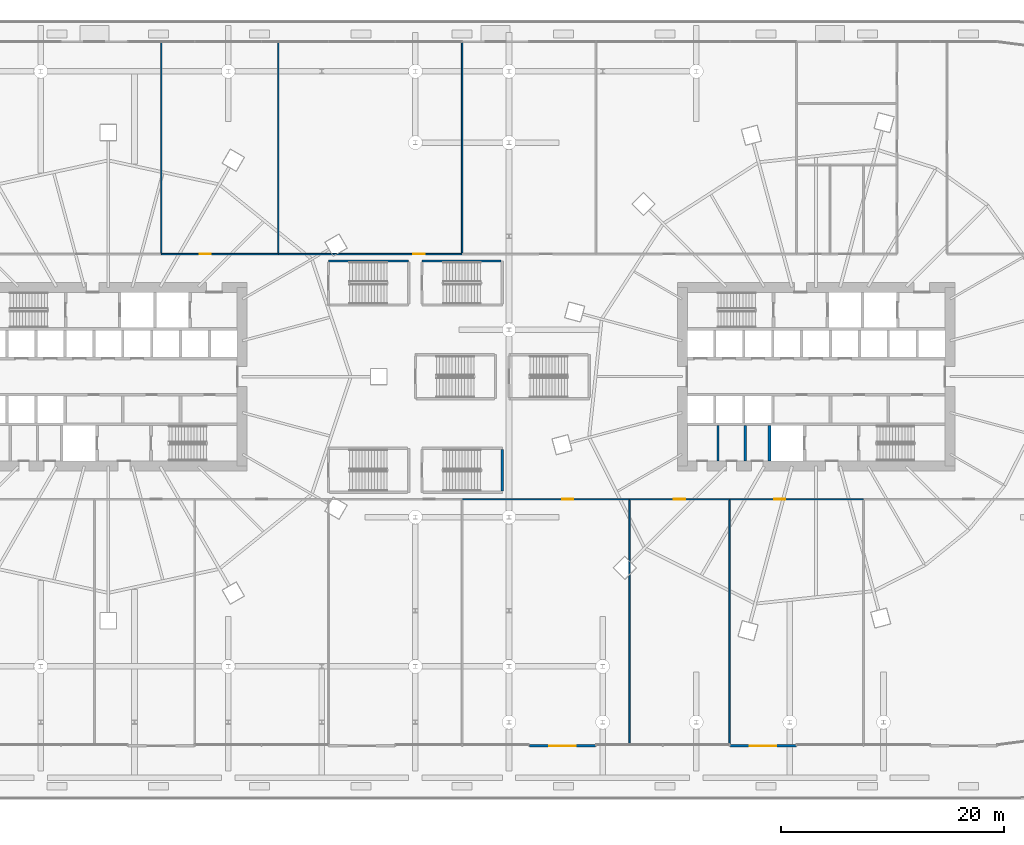
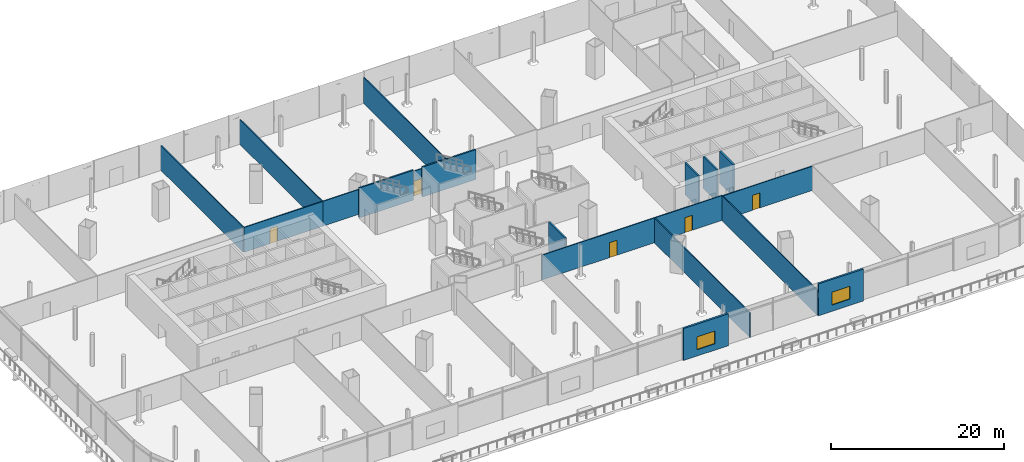
# One storey, part 40 of 56: 18 walls, 5 doors, 2 windows, 7 openings.
"""IFC4 building model written with IfcOpenShell, lengths in metres."""

from ifc_helpers import new_model, si_unit, direction, frame, frame_2d, origin, place, context, subcontext, project, spatial, rectangle, extrude, material, layer, layer_set, type_object, element, fill, save


model = new_model("IFC4")

# Units and contexts
model_context = context("Model", 3, precision=1e-05, world=origin(), true_north=direction((0.0, 1.0)))
body_context = subcontext(model_context, "Body", "Model", "MODEL_VIEW")
ifc_project = project(units=[si_unit("LENGTHUNIT", "METRE"), si_unit("AREAUNIT", "SQUARE_METRE"), si_unit("VOLUMEUNIT", "CUBIC_METRE"), si_unit("PLANEANGLEUNIT", "RADIAN"), si_unit("MASSUNIT", "GRAM", prefix="KILO")], contexts=[model_context])

# Site, building, storey
site_placement = place(None, origin())
site = spatial("IfcSite", under=ifc_project, at=site_placement, CompositionType="ELEMENT")
building_placement = place(site_placement, origin())
building = spatial("IfcBuilding", under=site, at=building_placement, Name="Rimbun Link Towers", CompositionType="ELEMENT")
storey_placement = place(building_placement, frame((0.0, 0.0, 16.5)))
storey = spatial("IfcBuildingStorey", under=building, at=storey_placement, Name="L03", CompositionType="ELEMENT", Elevation=16.5)

# Walls
ifc_material_1 = material(Name="Masonry blockwork", Category="masonry")
ifc_layer_1 = layer(ifc_material_1, 0.199951171875)
ifc_layer_set_1 = layer_set([ifc_layer_1], Name="Core partition 200")
wall_type_1 = type_object("IfcWallType", Name="Core partition 200", PredefinedType="PARTITIONING", material=ifc_layer_set_1)
for number, where, z_axis, x_axis, name in (
    (1, (22.949951171875, -4.39990234375, 0.0), (0.0, 0.0, 1.0), (0.0, -1.0, 0.0), "L03 T2 core wall C1"),
    (2, (25.39990234375, -4.39990234375, 0.0), (0.0, 0.0, 1.0), (0.0, -1.0, 0.0), "L03 T2 core wall C2"),
):
    element("IfcWall", number, at=place(storey_placement, frame(where, z_axis=z_axis, x_axis=x_axis)), inside=storey, type_object=wall_type_1, Name=name, PredefinedType="PARTITIONING", context=body_context, shape_type="SweptSolid", body=[
        extrude(rectangle(XDim=3.150146484375, YDim=0.199951171875, at=frame_2d((1.5751953125, 0.0))), origin(), (0.0, 0.0, 1.0), 4.5),
    ])

# Wall, opening, window
ifc_material_2 = material(Name="Concrete C32/40, terracotta rainscreen cladding", Category="masonry")
ifc_layer_2 = layer(ifc_material_2, 0.25)
ifc_layer_set_2 = layer_set([ifc_layer_2], Name="PD solid bay wall 250")
wall_type_2 = type_object("IfcWallType", Name="PD solid bay wall 250", PredefinedType="STANDARD", material=ifc_layer_set_2)
wall_1_placement = place(storey_placement, frame((11.97998046875, -33.125, 0.0), z_axis=(0.0, 0.0, 1.0), x_axis=(-1.0, 0.0, 0.0)))
wall_1 = element("IfcWall", 3, at=wall_1_placement, inside=storey, type_object=wall_type_2, Name="Solid bay wall", PredefinedType="STANDARD", context=body_context, shape_type="SweptSolid", body=[
    extrude(rectangle(XDim=5.9599609375, YDim=0.25, at=frame_2d((2.97998046875, 0.0))), origin(), (0.0, 0.0, 1.0), 4.5),
])
opening_1_placement = place(wall_1_placement, frame((1.780029296875, 0.0, 0.89990234375)))
opening_1 = element("IfcOpeningElement", 4, at=opening_1_placement, cuts=wall_1, Name="Opening WN13", PredefinedType="OPENING", context=body_context, shape_type="SweptSolid", body=[
    extrude(rectangle(XDim=2.39990234375, YDim=1.800048828125, at=frame_2d((1.199951171875, 0.89990234375))), frame((0.0, 0.135009765625, 0.0), z_axis=(0.0, -1.0, 0.0), x_axis=(1.0, 0.0, 0.0)), (0.0, 0.0, 1.0), 0.27001953125),
])
ifc_material_3 = material(Name="Aluminium framed window, low-iron glass", Category="aluminium")
window_type = type_object("IfcWindowType", Name="W1 podium window 2400X1800", PartitioningType="SINGLE_PANEL", PredefinedType="WINDOW", material=ifc_material_3)
window_1_placement = place(opening_1_placement, origin())
window_1 = element("IfcWindow", 5, at=window_1_placement, inside=storey, type_object=window_type, Name="Podium window", OverallHeight=1.800048828125, OverallWidth=2.39990234375, PartitioningType="SINGLE_PANEL", PredefinedType="WINDOW", context=body_context, shape_type="SweptSolid", body=[
    extrude(rectangle(XDim=2.39990234375, YDim=1.800048828125, at=frame_2d((1.199951171875, 0.89990234375))), frame((0.0, 0.030029296875, 0.0), z_axis=(0.0, -1.0, 0.0), x_axis=(1.0, 0.0, 0.0)), (0.0, 0.0, 1.0), 0.06005859375),
])
fill(opening_1, window_1)

wall_2_placement = place(storey_placement, frame((29.97998046875, -33.125, 0.0), z_axis=(0.0, 0.0, 1.0), x_axis=(-1.0, 0.0, 0.0)))
wall_2 = element("IfcWall", 6, at=wall_2_placement, inside=storey, type_object=wall_type_2, Name="Solid bay wall", PredefinedType="STANDARD", context=body_context, shape_type="SweptSolid", body=[
    extrude(rectangle(XDim=5.9599609375, YDim=0.25, at=frame_2d((2.97998046875, 0.0))), origin(), (0.0, 0.0, 1.0), 4.5),
])
opening_2_placement = place(wall_2_placement, frame((1.780029296875, 0.0, 0.89990234375)))
opening_2 = element("IfcOpeningElement", 7, at=opening_2_placement, cuts=wall_2, Name="Opening WN14", PredefinedType="OPENING", context=body_context, shape_type="SweptSolid", body=[
    extrude(rectangle(XDim=2.39990234375, YDim=1.800048828125, at=frame_2d((1.199951171875, 0.89990234375))), frame((0.0, 0.135009765625, 0.0), z_axis=(0.0, -1.0, 0.0), x_axis=(1.0, 0.0, 0.0)), (0.0, 0.0, 1.0), 0.27001953125),
])
window_2_placement = place(opening_2_placement, origin())
window_2 = element("IfcWindow", 8, at=window_2_placement, inside=storey, type_object=window_type, Name="Podium window", OverallHeight=1.800048828125, OverallWidth=2.39990234375, PartitioningType="SINGLE_PANEL", PredefinedType="WINDOW", context=body_context, shape_type="SweptSolid", body=[
    extrude(rectangle(XDim=2.39990234375, YDim=1.800048828125, at=frame_2d((1.199951171875, 0.89990234375))), frame((0.0, 0.030029296875, 0.0), z_axis=(0.0, -1.0, 0.0), x_axis=(1.0, 0.0, 0.0)), (0.0, 0.0, 1.0), 0.06005859375),
])
fill(opening_2, window_2)

# Wall, opening, door
ifc_material_4 = material(Name="Gypsum board on steel studs", Category="steel")
ifc_layer_3 = layer(ifc_material_4, 0.125)
ifc_layer_set_3 = layer_set([ifc_layer_3], Name="Partition 125 board on studs")
wall_type_3 = type_object("IfcWallType", Name="Partition 125 board on studs", PredefinedType="PARTITIONING", material=ifc_layer_set_3)
wall_3_placement = place(storey_placement, frame((0.0, -11.0, 0.0), z_axis=(0.0, 0.0, 1.0), x_axis=(1.0, 0.0, 0.0)))
wall_3 = element("IfcWall", 9, at=wall_3_placement, inside=storey, type_object=wall_type_3, Name="PD/PW/L03/030", PredefinedType="PARTITIONING", context=body_context, shape_type="SweptSolid", body=[
    extrude(rectangle(XDim=15.0, YDim=0.125, at=frame_2d((7.5, 0.0))), origin(), (0.0, 0.0, 1.0), 3.49609375),
])
opening_3_placement = place(wall_3_placement, frame((8.965087890625, 0.0, 0.0)))
opening_3 = element("IfcOpeningElement", 10, at=opening_3_placement, cuts=wall_3, Name="Opening PD D03.06", PredefinedType="OPENING", context=body_context, shape_type="SweptSolid", body=[
    extrude(rectangle(XDim=1.0, YDim=2.10009765625, at=frame_2d((0.5, 1.050048828125))), frame((0.0, 0.072509765625, 0.0), z_axis=(0.0, -1.0, 0.0), x_axis=(1.0, 0.0, 0.0)), (0.0, 0.0, 1.0), 0.14501953125),
])
ifc_material_5 = material(Name="Timber door set", Category="wood")
door_type = type_object("IfcDoorType", Name="Door single leaf 1000 x 2100", OperationType="NOTDEFINED", PredefinedType="DOOR", material=ifc_material_5)
door_1_placement = place(opening_3_placement, origin())
door_1 = element("IfcDoor", 11, at=door_1_placement, inside=storey, type_object=door_type, Name="PD/DR/L03/006", OperationType="SINGLE_SWING_LEFT", OverallHeight=2.10009765625, OverallWidth=1.0, PredefinedType="DOOR", context=body_context, shape_type="SweptSolid", body=[
    extrude(rectangle(XDim=1.0, YDim=2.10009765625, at=frame_2d((0.5, 1.050048828125))), frame((0.0, 0.02490234375, 0.0), z_axis=(0.0, -1.0, 0.0), x_axis=(1.0, 0.0, 0.0)), (0.0, 0.0, 1.0), 0.050048828125),
])
fill(opening_3, door_1)

wall_4_placement = place(storey_placement, frame((15.0, -11.0, 0.0), z_axis=(0.0, 0.0, 1.0), x_axis=(1.0, 0.0, 0.0)))
wall_4 = element("IfcWall", 12, at=wall_4_placement, inside=storey, type_object=wall_type_3, Name="PD/PW/L03/031", PredefinedType="PARTITIONING", context=body_context, shape_type="SweptSolid", body=[
    extrude(rectangle(XDim=9.0, YDim=0.125, at=frame_2d((4.5, 0.0))), origin(), (0.0, 0.0, 1.0), 3.49609375),
])
opening_4_placement = place(wall_4_placement, frame((4.0, 0.0, 0.0)))
opening_4 = element("IfcOpeningElement", 13, at=opening_4_placement, cuts=wall_4, Name="Opening PD D03.07", PredefinedType="OPENING", context=body_context, shape_type="SweptSolid", body=[
    extrude(rectangle(XDim=1.0, YDim=2.10009765625, at=frame_2d((0.5, 1.050048828125))), frame((0.0, 0.072509765625, 0.0), z_axis=(0.0, -1.0, 0.0), x_axis=(1.0, 0.0, 0.0)), (0.0, 0.0, 1.0), 0.14501953125),
])
door_2_placement = place(opening_4_placement, origin())
door_2 = element("IfcDoor", 14, at=door_2_placement, inside=storey, type_object=door_type, Name="PD/DR/L03/007", OperationType="SINGLE_SWING_RIGHT", OverallHeight=2.10009765625, OverallWidth=1.0, PredefinedType="DOOR", context=body_context, shape_type="SweptSolid", body=[
    extrude(rectangle(XDim=1.0, YDim=2.10009765625, at=frame_2d((0.5, 1.050048828125))), frame((0.0, 0.02490234375, 0.0), z_axis=(0.0, -1.0, 0.0), x_axis=(1.0, 0.0, 0.0)), (0.0, 0.0, 1.0), 0.050048828125),
])
fill(opening_4, door_2)

wall_5_placement = place(storey_placement, frame((24.0, -11.0, 0.0), z_axis=(0.0, 0.0, 1.0), x_axis=(1.0, 0.0, 0.0)))
wall_5 = element("IfcWall", 15, at=wall_5_placement, inside=storey, type_object=wall_type_3, Name="PD/PW/L03/032", PredefinedType="PARTITIONING", context=body_context, shape_type="SweptSolid", body=[
    extrude(rectangle(XDim=12.0, YDim=0.125, at=frame_2d((6.0, 0.0))), origin(), (0.0, 0.0, 1.0), 3.41796875),
])
opening_5_placement = place(wall_5_placement, frame((3.985107421875, 0.0, 0.0)))
opening_5 = element("IfcOpeningElement", 16, at=opening_5_placement, cuts=wall_5, Name="Opening PD D03.08", PredefinedType="OPENING", context=body_context, shape_type="SweptSolid", body=[
    extrude(rectangle(XDim=1.0, YDim=2.10009765625, at=frame_2d((0.5, 1.050048828125))), frame((0.0, 0.072509765625, 0.0), z_axis=(0.0, -1.0, 0.0), x_axis=(1.0, 0.0, 0.0)), (0.0, 0.0, 1.0), 0.14501953125),
])
door_3_placement = place(opening_5_placement, origin())
door_3 = element("IfcDoor", 17, at=door_3_placement, inside=storey, type_object=door_type, Name="PD/DR/L03/008", OperationType="SINGLE_SWING_LEFT", OverallHeight=2.10009765625, OverallWidth=1.0, PredefinedType="DOOR", context=body_context, shape_type="SweptSolid", body=[
    extrude(rectangle(XDim=1.0, YDim=2.10009765625, at=frame_2d((0.5, 1.050048828125))), frame((0.0, 0.02490234375, 0.0), z_axis=(0.0, -1.0, 0.0), x_axis=(1.0, 0.0, 0.0)), (0.0, 0.0, 1.0), 0.050048828125),
])
fill(opening_5, door_3)

wall_6_placement = place(storey_placement, frame((-16.5, 11.0, 0.0), z_axis=(0.0, 0.0, 1.0), x_axis=(-1.0, 0.0, 0.0)))
wall_6 = element("IfcWall", 18, at=wall_6_placement, inside=storey, type_object=wall_type_3, Name="PD/PW/L03/040", PredefinedType="PARTITIONING", context=body_context, shape_type="SweptSolid", body=[
    extrude(rectangle(XDim=10.5, YDim=0.125, at=frame_2d((5.25, 0.0))), origin(), (0.0, 0.0, 1.0), 3.49609375),
])
opening_6_placement = place(wall_6_placement, frame((6.0400390625, 0.0, 0.0)))
opening_6 = element("IfcOpeningElement", 19, at=opening_6_placement, cuts=wall_6, Name="Opening PD D03.18", PredefinedType="OPENING", context=body_context, shape_type="SweptSolid", body=[
    extrude(rectangle(XDim=1.0, YDim=2.10009765625, at=frame_2d((0.5, 1.050048828125))), frame((0.0, 0.072509765625, 0.0), z_axis=(0.0, -1.0, 0.0), x_axis=(1.0, 0.0, 0.0)), (0.0, 0.0, 1.0), 0.14501953125),
])
door_4_placement = place(opening_6_placement, origin())
door_4 = element("IfcDoor", 20, at=door_4_placement, inside=storey, type_object=door_type, Name="PD/DR/L03/018", OperationType="SINGLE_SWING_LEFT", OverallHeight=2.10009765625, OverallWidth=1.0, PredefinedType="DOOR", context=body_context, shape_type="SweptSolid", body=[
    extrude(rectangle(XDim=1.0, YDim=2.10009765625, at=frame_2d((0.5, 1.050048828125))), frame((0.0, 0.02490234375, 0.0), z_axis=(0.0, -1.0, 0.0), x_axis=(1.0, 0.0, 0.0)), (0.0, 0.0, 1.0), 0.050048828125),
])
fill(opening_6, door_4)

wall_7_placement = place(storey_placement, frame((0.0, 11.0, 0.0), z_axis=(0.0, 0.0, 1.0), x_axis=(-1.0, 0.0, 0.0)))
wall_7 = element("IfcWall", 21, at=wall_7_placement, inside=storey, type_object=wall_type_3, Name="PD/PW/L03/041", PredefinedType="PARTITIONING", context=body_context, shape_type="SweptSolid", body=[
    extrude(rectangle(XDim=16.5, YDim=0.125, at=frame_2d((8.25, 0.0))), origin(), (0.0, 0.0, 1.0), 3.49609375),
])
opening_7_placement = place(wall_7_placement, frame((3.3701171875, 0.0, 0.0)))
opening_7 = element("IfcOpeningElement", 22, at=opening_7_placement, cuts=wall_7, Name="Opening PD D03.19", PredefinedType="OPENING", context=body_context, shape_type="SweptSolid", body=[
    extrude(rectangle(XDim=1.0, YDim=2.10009765625, at=frame_2d((0.5, 1.050048828125))), frame((0.0, 0.072509765625, 0.0), z_axis=(0.0, -1.0, 0.0), x_axis=(1.0, 0.0, 0.0)), (0.0, 0.0, 1.0), 0.14501953125),
])
door_5_placement = place(opening_7_placement, origin())
door_5 = element("IfcDoor", 23, at=door_5_placement, inside=storey, type_object=door_type, Name="PD/DR/L03/019", OperationType="SINGLE_SWING_RIGHT", OverallHeight=2.10009765625, OverallWidth=1.0, PredefinedType="DOOR", context=body_context, shape_type="SweptSolid", body=[
    extrude(rectangle(XDim=1.0, YDim=2.10009765625, at=frame_2d((0.5, 1.050048828125))), frame((0.0, 0.02490234375, 0.0), z_axis=(0.0, -1.0, 0.0), x_axis=(1.0, 0.0, 0.0)), (0.0, 0.0, 1.0), 0.050048828125),
])
fill(opening_7, door_5)

# Walls
for number, where, z_axis, x_axis, name in (
    (24, (15.0, -33.080078125, 0.0), (0.0, 0.0, 1.0), (0.0, 1.0, 0.0), "PD/PW/L03/050"),
    (25, (24.0, -33.080078125, 0.0), (0.0, 0.0, 1.0), (0.0, 1.0, 0.0), "PD/PW/L03/051"),
):
    element("IfcWall", number, at=place(storey_placement, frame(where, z_axis=z_axis, x_axis=x_axis)), inside=storey, type_object=wall_type_3, Name=name, PredefinedType="PARTITIONING", context=body_context, shape_type="SweptSolid", body=[
        extrude(rectangle(XDim=22.017578125, YDim=0.125, at=frame_2d((11.0087890625, 0.0))), origin(), (0.0, 0.0, 1.0), 3.49609375),
    ])
for number, where, z_axis, x_axis, name in (
    (26, (-27.0, 11.0625, 0.0), (0.0, 0.0, 1.0), (0.0, 1.0, 0.0), "PD/PW/L03/068"),
    (27, (-16.5, 11.0625, 0.0), (0.0, 0.0, 1.0), (0.0, 1.0, 0.0), "PD/PW/L03/069"),
):
    element("IfcWall", number, at=place(storey_placement, frame(where, z_axis=z_axis, x_axis=x_axis)), inside=storey, type_object=wall_type_3, Name=name, PredefinedType="PARTITIONING", context=body_context, shape_type="SweptSolid", body=[
        extrude(rectangle(XDim=19.017578125, YDim=0.125, at=frame_2d((9.5087890625, 0.0))), origin(), (0.0, 0.0, 1.0), 3.49609375),
    ])
wall_8_placement = place(storey_placement, frame((0.0, 11.0625, 0.0), z_axis=(0.0, 0.0, 1.0), x_axis=(0.0, 1.0, 0.0)))
element("IfcWall", 28, at=wall_8_placement, inside=storey, type_object=wall_type_3, Name="PD/PW/L03/070", PredefinedType="PARTITIONING", context=body_context, shape_type="SweptSolid", body=[
    extrude(rectangle(XDim=19.017578125, YDim=0.125, at=frame_2d((9.5087890625, 0.0))), origin(), (0.0, 0.0, 1.0), 3.64697265625),
])
ifc_material_6 = material(Name="Concrete C60/75", Category="concrete")
ifc_layer_4 = layer(ifc_material_6, 0.25)
ifc_layer_set_4 = layer_set([ifc_layer_4], Name="Shaft wall 250")
wall_type_4 = type_object("IfcWallType", Name="Shaft wall 250", PredefinedType="SHEAR", material=ifc_layer_set_4)
wall_9_placement = place(storey_placement, frame((27.574951171875, -4.39990234375, 0.0), z_axis=(0.0, 0.0, 1.0), x_axis=(0.0, -1.0, 0.0)))
element("IfcWall", 29, at=wall_9_placement, inside=storey, type_object=wall_type_4, Name="L03 T2 core wall B3", PredefinedType="SHEAR", context=body_context, shape_type="SweptSolid", body=[
    extrude(rectangle(XDim=3.150146484375, YDim=0.25, at=frame_2d((1.5751953125, 0.0))), origin(), (0.0, 0.0, 1.0), 4.5),
])
ifc_material_7 = material(Name="Concrete C40/50", Category="concrete")
ifc_layer_5 = layer(ifc_material_7, 0.199951171875)
ifc_layer_set_5 = layer_set([ifc_layer_5], Name="Stair shaft wall 200")
wall_type_5 = type_object("IfcWallType", Name="Stair shaft wall 200", PredefinedType="SOLIDWALL", material=ifc_layer_set_5)
wall_10_placement = place(storey_placement, frame((3.60009765625, -10.27490234375, 0.0), z_axis=(0.0, 0.0, 1.0), x_axis=(0.0, 1.0, 0.0)))
element("IfcWall", 30, at=wall_10_placement, inside=storey, type_object=wall_type_5, Name="PD/PW/L03/008", PredefinedType="SOLIDWALL", context=body_context, shape_type="SweptSolid", body=[
    extrude(rectangle(XDim=3.75, YDim=0.199951171875, at=frame_2d((1.875, 0.0))), origin(), (0.0, 0.0, 1.0), 4.199951171875),
])
wall_11_placement = place(storey_placement, frame((-4.800048828125, 10.375, 0.0), z_axis=(0.0, 0.0, 1.0), x_axis=(-1.0, 0.0, 0.0)))
element("IfcWall", 31, at=wall_11_placement, inside=storey, type_object=wall_type_5, Name="PD/PW/L03/009", PredefinedType="SOLIDWALL", context=body_context, shape_type="SweptSolid", body=[
    extrude(rectangle(XDim=7.199951171875, YDim=0.199951171875, at=frame_2d((3.60009765625, 0.0))), origin(), (0.0, 0.0, 1.0), 4.199951171875),
])
wall_12_placement = place(storey_placement, frame((3.5, 10.375, 0.0), z_axis=(0.0, 0.0, 1.0), x_axis=(-1.0, 0.0, 0.0)))
element("IfcWall", 32, at=wall_12_placement, inside=storey, type_object=wall_type_5, Name="PD/PW/L03/015", PredefinedType="SOLIDWALL", context=body_context, shape_type="SweptSolid", body=[
    extrude(rectangle(XDim=7.10009765625, YDim=0.199951171875, at=frame_2d((3.550048828125, 0.0))), origin(), (0.0, 0.0, 1.0), 4.199951171875),
])

save(model, "model.ifc")
